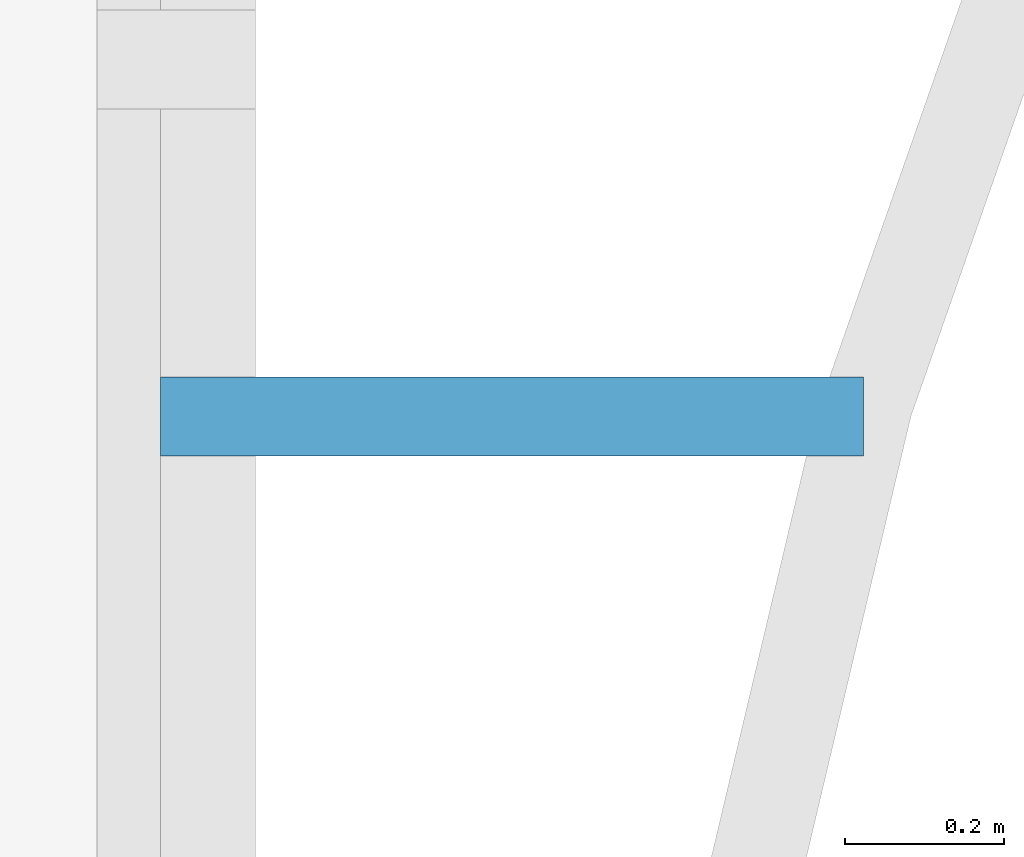
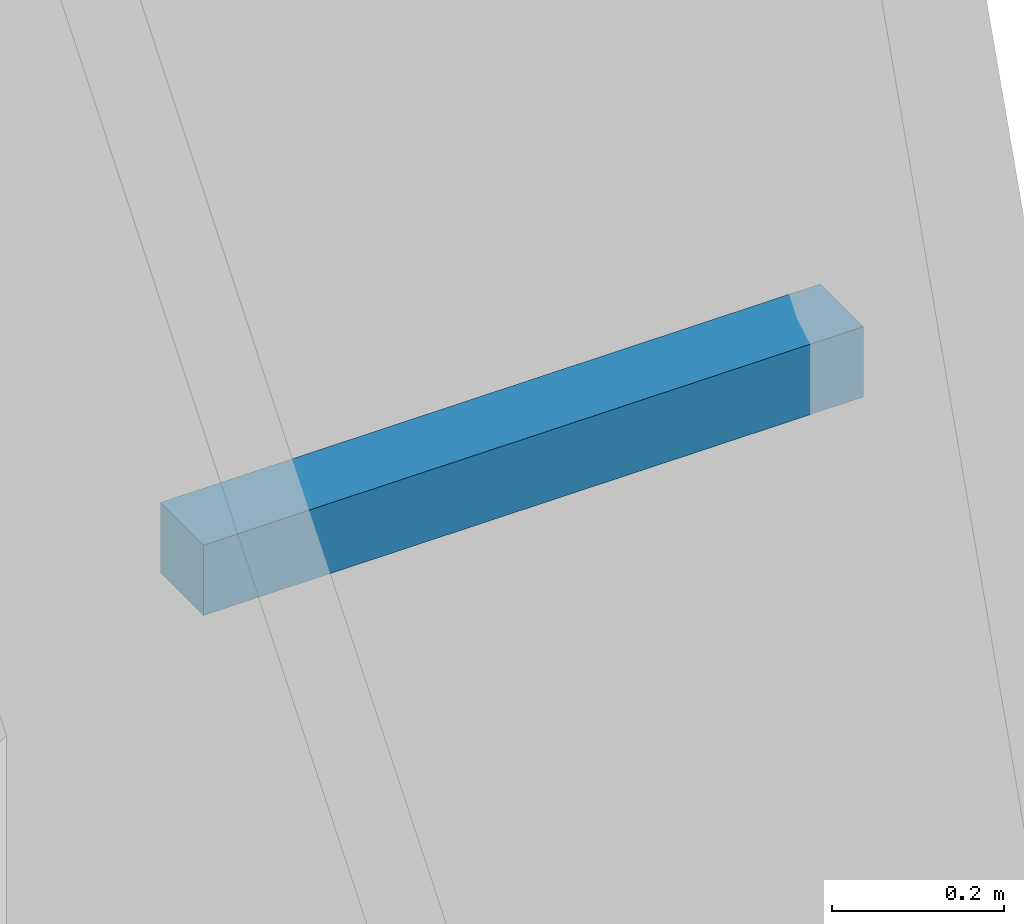
# One storey, part 14 of 21: 1 discrete accessory.
"""IFC4 building model written with IfcOpenShell, lengths in metres."""

from ifc_helpers import new_model, si_unit, direction, frame, origin, origin_2d, place, context, subcontext, project, spatial, rectangle, extrude, material, type_object, element, save


model = new_model("IFC4")

# Units and contexts
model_context = context("Model", 3, precision=1e-05, world=origin(), true_north=direction((0.0, 1.0)))
body_context = subcontext(model_context, "Body", "Model", "MODEL_VIEW")
ifc_project = project(units=[si_unit("LENGTHUNIT", "METRE"), si_unit("AREAUNIT", "SQUARE_METRE"), si_unit("VOLUMEUNIT", "CUBIC_METRE"), si_unit("PLANEANGLEUNIT", "RADIAN"), si_unit("MASSUNIT", "GRAM", prefix="KILO")], contexts=[model_context])

# Site, building, storey
site_placement = place(None, origin())
site = spatial("IfcSite", under=ifc_project, at=site_placement, CompositionType="ELEMENT")
building_placement = place(site_placement, origin())
building = spatial("IfcBuilding", under=site, at=building_placement, Name="Mopane Tessera Tower", CompositionType="ELEMENT")
storey_placement = place(building_placement, frame((0.0, 0.0, 9.0)))
storey = spatial("IfcBuildingStorey", under=building, at=storey_placement, Name="L01", CompositionType="ELEMENT", Elevation=9.0)

# Discrete accessory
ifc_material = material(Name="Stainless steel S316", Category="steel")
discrete_accessory_type = type_object("IfcDiscreteAccessoryType", Name="Louvre bracket 100 x 100", PredefinedType="BRACKET", material=ifc_material)
discrete_accessory_placement = place(storey_placement, frame((31.3232421875, -7.449951171875, 1.929931640625), z_axis=(0.0, 0.0, 1.0), x_axis=(1.0, 0.0, 0.0)))
element("IfcDiscreteAccessory", 1, at=discrete_accessory_placement, inside=storey, type_object=discrete_accessory_type, Name="e:lv:L01:E:0:br1", PredefinedType="BRACKET", context=body_context, shape_type="SweptSolid", body=[
    extrude(rectangle(XDim=0.886474609375, YDim=0.10009765625, at=origin_2d()), origin(), (0.0, 0.0, 1.0), 0.10009765625),
])

save(model, "model.ifc")
